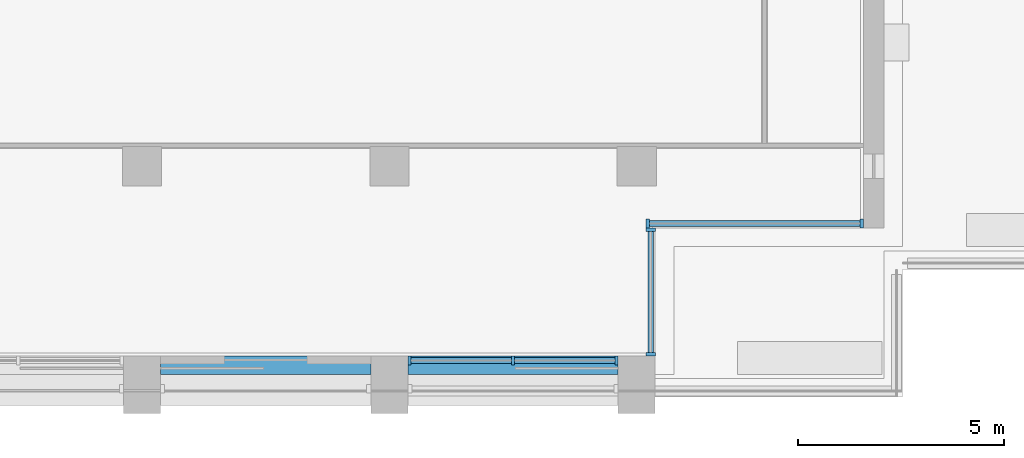
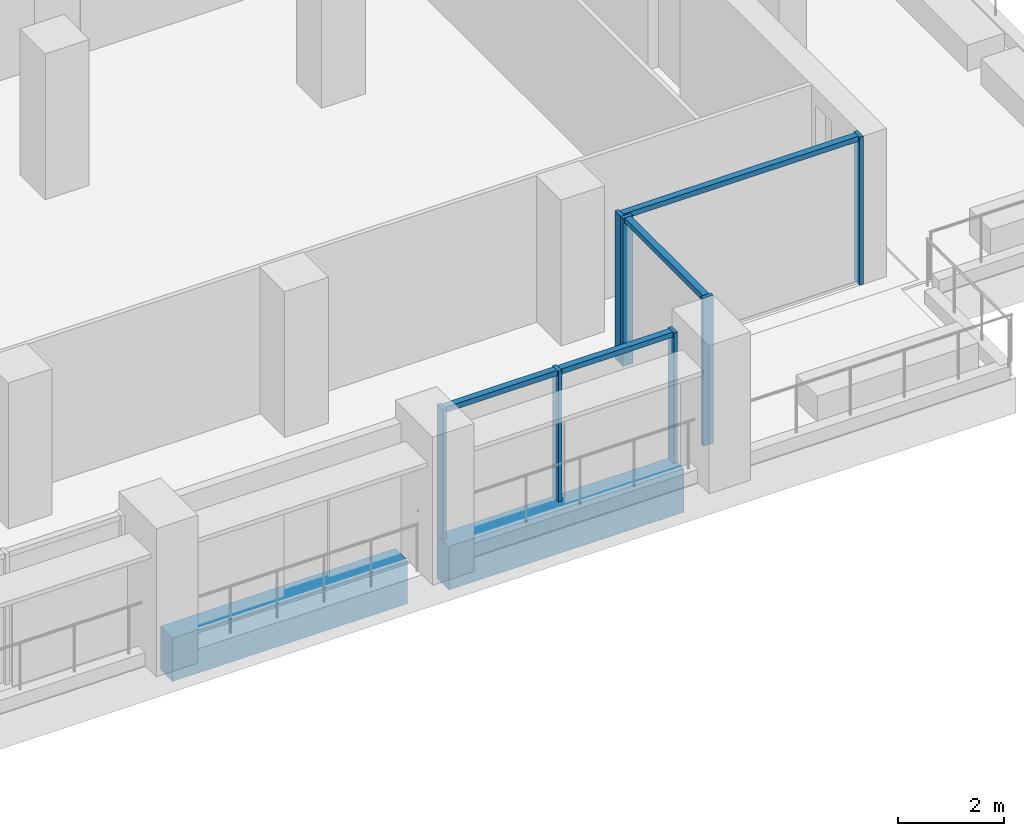
# One storey, part 3 of 16: 11 members, 2 beams, 3 elements without a shape of their own.
"""IFC4 building model written with IfcOpenShell, lengths in metres."""

from ifc_helpers import new_model, si_unit, direction, frame, origin, origin_2d, place, context, subcontext, project, spatial, rectangle, extrude, material, material_profile, profile_set, type_object, element, aggregate, save


model = new_model("IFC4")

# Units and contexts
model_context = context("Model", 3, precision=1e-05, world=origin(), true_north=direction((0.0, 1.0)))
body_context = subcontext(model_context, "Body", "Model", "MODEL_VIEW")
ifc_project = project(units=[si_unit("LENGTHUNIT", "METRE"), si_unit("AREAUNIT", "SQUARE_METRE"), si_unit("VOLUMEUNIT", "CUBIC_METRE"), si_unit("PLANEANGLEUNIT", "RADIAN"), si_unit("MASSUNIT", "GRAM", prefix="KILO")], contexts=[model_context])

# Site, building, storey
site_placement = place(None, origin())
site = spatial("IfcSite", under=ifc_project, at=site_placement, CompositionType="ELEMENT")
building_placement = place(site_placement, origin())
building = spatial("IfcBuilding", under=site, at=building_placement, Name="Calvaro Tower", CompositionType="ELEMENT")
storey_placement = place(building_placement, frame((0.0, 0.0, 231.75)))
storey = spatial("IfcBuildingStorey", under=building, at=storey_placement, Name="L58", CompositionType="ELEMENT", Elevation=231.75)

# Curtain wall, members
ifc_material_1 = material(Name="Anodised aluminium", Category="aluminium")
curtain_wall_type = type_object("IfcCurtainWallType", Name="Executive curtain wall", PredefinedType="NOTDEFINED", material=ifc_material_1)
curtain_wall_1_placement = place(storey_placement, origin())
curtain_wall_1 = element("IfcCurtainWall", 1, at=curtain_wall_1_placement, inside=storey, type_object=curtain_wall_type, Name="CW4 south curtain wall", PredefinedType="NOTDEFINED")
ifc_material_2 = material(Name="Anodised aluminium", Category="aluminium")
ifc_material_profile_1 = material_profile(ifc_material_2, rectangle(XDim=0.219970703125, YDim=0.080078125, at=origin_2d()), Name="Mullion S4 80 x 220")
ifc_profile_set_1 = profile_set([ifc_material_profile_1], Name="Anodised aluminium")
member_type_1 = type_object("IfcMemberType", Name="Mullion S4 80 x 220", PredefinedType="MULLION", material=ifc_profile_set_1)
member_1_placement = place(storey_placement, frame((54.489990234375, 5.2900390625, 0.0), z_axis=(0.0, 0.0, 1.0), x_axis=(0.0, 1.0, 0.0)))
member_1 = element("IfcMember", 2, at=member_1_placement, type_object=member_type_1, Name="CW4 mullion 1", PredefinedType="MULLION", context=body_context, shape_type="SweptSolid", body=[
    extrude(rectangle(XDim=0.219970703125, YDim=0.080078125, at=origin_2d()), origin(), (0.0, 0.0, 1.0), 3.0),
])
member_2_placement = place(storey_placement, frame((57.0, 5.2900390625, 0.0), z_axis=(0.0, 0.0, 1.0), x_axis=(0.0, 1.0, 0.0)))
member_2 = element("IfcMember", 3, at=member_2_placement, type_object=member_type_1, Name="CW4 mullion 2", PredefinedType="MULLION", context=body_context, shape_type="SweptSolid", body=[
    extrude(rectangle(XDim=0.219970703125, YDim=0.080078125, at=origin_2d()), origin(), (0.0, 0.0, 1.0), 3.0),
])
member_3_placement = place(storey_placement, frame((59.510009765625, 5.2900390625, 0.0), z_axis=(0.0, 0.0, 1.0), x_axis=(0.0, 1.0, 0.0)))
member_3 = element("IfcMember", 4, at=member_3_placement, type_object=member_type_1, Name="CW4 mullion 3", PredefinedType="MULLION", context=body_context, shape_type="SweptSolid", body=[
    extrude(rectangle(XDim=0.219970703125, YDim=0.080078125, at=origin_2d()), origin(), (0.0, 0.0, 1.0), 3.0),
])

curtain_wall_2_placement = place(storey_placement, origin())
curtain_wall_2 = element("IfcCurtainWall", 5, at=curtain_wall_2_placement, inside=storey, type_object=curtain_wall_type, Name="CW4 corner curtain wall", PredefinedType="NOTDEFINED")
member_4_placement = place(storey_placement, frame((60.340087890625, 5.43994140625, 0.0), z_axis=(0.0, 0.0, 1.0), x_axis=(-1.0, 0.0, 0.0)))
member_4 = element("IfcMember", 6, at=member_4_placement, type_object=member_type_1, Name="CW4 mullion 1", PredefinedType="MULLION", context=body_context, shape_type="SweptSolid", body=[
    extrude(rectangle(XDim=0.219970703125, YDim=0.080078125, at=origin_2d()), origin(), (0.0, 0.0, 1.0), 3.39990234375),
])
member_5_placement = place(storey_placement, frame((60.340087890625, 8.4599609375, 0.0), z_axis=(0.0, 0.0, 1.0), x_axis=(-1.0, 0.0, 0.0)))
member_5 = element("IfcMember", 7, at=member_5_placement, type_object=member_type_1, Name="CW4 mullion 2", PredefinedType="MULLION", context=body_context, shape_type="SweptSolid", body=[
    extrude(rectangle(XDim=0.219970703125, YDim=0.080078125, at=origin_2d()), origin(), (0.0, 0.0, 1.0), 3.39990234375),
])

curtain_wall_3_placement = place(storey_placement, origin())
curtain_wall_3 = element("IfcCurtainWall", 8, at=curtain_wall_3_placement, inside=storey, type_object=curtain_wall_type, Name="CW4 corner curtain wall", PredefinedType="NOTDEFINED")
member_6_placement = place(storey_placement, frame((60.27001953125, 8.610107421875, 0.0), z_axis=(0.0, 0.0, 1.0), x_axis=(0.0, 1.0, 0.0)))
member_6 = element("IfcMember", 9, at=member_6_placement, type_object=member_type_1, Name="CW4 mullion 1", PredefinedType="MULLION", context=body_context, shape_type="SweptSolid", body=[
    extrude(rectangle(XDim=0.219970703125, YDim=0.080078125, at=origin_2d()), origin(), (0.0, 0.0, 1.0), 3.39990234375),
])
member_7_placement = place(storey_placement, frame((65.4599609375, 8.610107421875, 0.0), z_axis=(0.0, 0.0, 1.0), x_axis=(0.0, 1.0, 0.0)))
member_7 = element("IfcMember", 10, at=member_7_placement, type_object=member_type_1, Name="CW4 mullion 2", PredefinedType="MULLION", context=body_context, shape_type="SweptSolid", body=[
    extrude(rectangle(XDim=0.219970703125, YDim=0.080078125, at=origin_2d()), origin(), (0.0, 0.0, 1.0), 3.39990234375),
])

# Beams
ifc_material_3 = material(Name="Concrete C50/60 precast", Category="concrete")
ifc_material_profile_2 = material_profile(ifc_material_3, rectangle(XDim=0.449951171875, YDim=1.0, at=origin_2d()), Name="RC 450x1000")
ifc_profile_set_2 = profile_set([ifc_material_profile_2], Name="Concrete C50/60 precast")
beam_type = type_object("IfcBeamType", Name="Spandrel beam 450x1000 C50/60", PredefinedType="SPANDREL", material=ifc_profile_set_2)
for number, where, z_axis, x_axis, name in (
    (11, (48.449951171875, 5.175048828125, -0.5), (1.0, 0.0, 0.0), (0.0, 1.0, 0.0), "Spandrel beam"),
    (12, (54.449951171875, 5.175048828125, -0.5), (1.0, 0.0, 0.0), (0.0, 1.0, 0.0), "Spandrel beam"),
):
    element("IfcBeam", number, at=place(storey_placement, frame(where, z_axis=z_axis, x_axis=x_axis)), inside=storey, type_object=beam_type, Name=name, PredefinedType="SPANDREL", context=body_context, shape_type="SweptSolid", body=[
        extrude(rectangle(XDim=0.449951171875, YDim=1.0, at=origin_2d()), origin(), (0.0, 0.0, 1.0), 5.10009765625),
    ])

# Member
ifc_material_4 = material(Name="Anodised aluminium", Category="aluminium")
ifc_material_profile_3 = material_profile(ifc_material_4, rectangle(XDim=0.139892578125, YDim=0.1201171875, at=origin_2d()), Name="Transom S4 120 x 140")
ifc_profile_set_3 = profile_set([ifc_material_profile_3], Name="Anodised aluminium")
member_type_2 = type_object("IfcMemberType", Name="Transom S4 120 x 140", PredefinedType="USERDEFINED", material=ifc_profile_set_3)
member_8_placement = place(storey_placement, frame((54.530029296875, 5.2900390625, 2.93994140625), z_axis=(1.0, 0.0, 0.0), x_axis=(0.0, 1.0, 0.0)))
member_8 = element("IfcMember", 13, at=member_8_placement, type_object=member_type_2, Name="CW4 transom 1.1", ObjectType="TRANSOM", PredefinedType="USERDEFINED", context=body_context, shape_type="SweptSolid", body=[
    extrude(rectangle(XDim=0.139892578125, YDim=0.1201171875, at=origin_2d()), origin(), (0.0, 0.0, 1.0), 2.429931640625),
])

member_9_placement = place(storey_placement, frame((57.0400390625, 5.2900390625, 2.93994140625), z_axis=(1.0, 0.0, 0.0), x_axis=(0.0, 1.0, 0.0)))
member_9 = element("IfcMember", 14, at=member_9_placement, type_object=member_type_2, Name="CW4 transom 2.1", ObjectType="TRANSOM", PredefinedType="USERDEFINED", context=body_context, shape_type="SweptSolid", body=[
    extrude(rectangle(XDim=0.139892578125, YDim=0.1201171875, at=origin_2d()), origin(), (0.0, 0.0, 1.0), 2.429931640625),
])

aggregate(curtain_wall_1, [member_1, member_2, member_3, member_8, member_9])

member_10_placement = place(storey_placement, frame((60.340087890625, 5.47998046875, 3.340087890625), z_axis=(0.0, 1.0, 0.0), x_axis=(-1.0, 0.0, 0.0)))
member_10 = element("IfcMember", 15, at=member_10_placement, type_object=member_type_2, Name="CW4 transom 1.1", ObjectType="TRANSOM", PredefinedType="USERDEFINED", context=body_context, shape_type="SweptSolid", body=[
    extrude(rectangle(XDim=0.139892578125, YDim=0.1201171875, at=origin_2d()), origin(), (0.0, 0.0, 1.0), 2.93994140625),
])

aggregate(curtain_wall_2, [member_4, member_5, member_10])

member_11_placement = place(storey_placement, frame((60.31005859375, 8.610107421875, 3.340087890625), z_axis=(1.0, 0.0, 0.0), x_axis=(0.0, 1.0, 0.0)))
member_11 = element("IfcMember", 16, at=member_11_placement, type_object=member_type_2, Name="CW4 transom 1.1", ObjectType="TRANSOM", PredefinedType="USERDEFINED", context=body_context, shape_type="SweptSolid", body=[
    extrude(rectangle(XDim=0.139892578125, YDim=0.1201171875, at=origin_2d()), origin(), (0.0, 0.0, 1.0), 5.10986328125),
])

aggregate(curtain_wall_3, [member_6, member_7, member_11])

save(model, "model.ifc")
